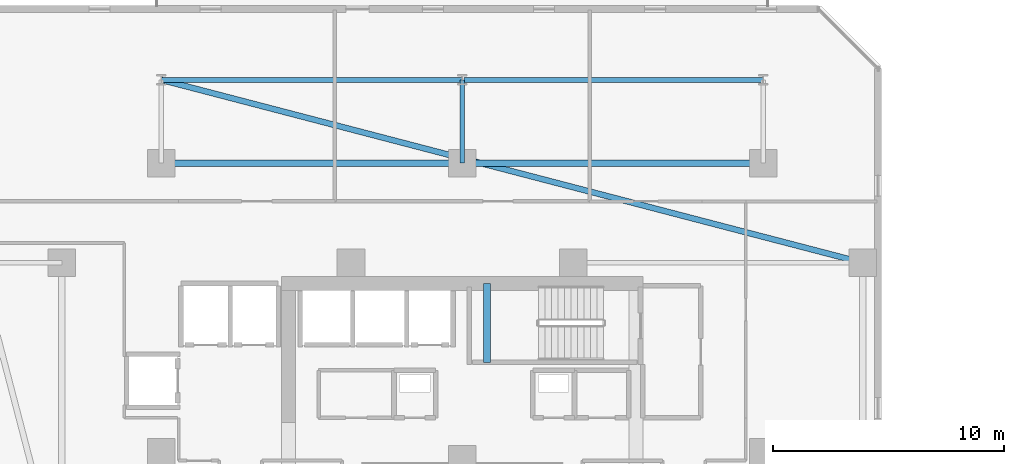
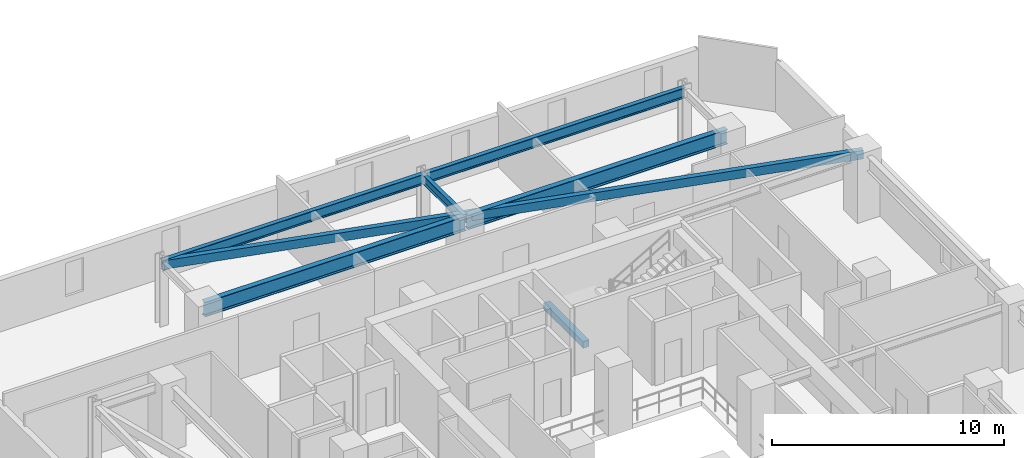
# One storey, part 8 of 33: 7 beams.
"""IFC4 building model written with IfcOpenShell, lengths in metres."""

import ifcopenshell
import ifcopenshell.guid

model = None  # the IFC model being written
_history = None  # IfcOwnerHistory: only IFC2X3 demands one
_inside = {}  # id of a spatial element -> (the spatial element, [elements in it])
_under = {}  # id of a project, library or spatial element -> (it, [spatial elements below it])
_declared = {}  # id of a project -> (the project, [libraries it declares])
_typed = {}  # id of a type object -> (the type object, [elements of that type])
_made_of = {}  # id of a material, layer set ... -> (it, [elements and type objects made of it])


def new_model(schema):
    """Start an empty IFC model of exactly this schema.

    Asked for "IFC4X3", IfcOpenShell would pick the latest addendum, in which some entities
    have other attributes; the version numbers below select the first issue.
    IFC2X3 requires an IfcOwnerHistory on every rooted entity: one is made here for all.
    """
    global model, _history
    if schema == "IFC4X3":
        model = ifcopenshell.file(schema_version=(4, 3, 0, 0))
    else:
        model = ifcopenshell.file(schema=schema)
    _inside.clear()
    _under.clear()
    _declared.clear()
    _typed.clear()
    _made_of.clear()
    _history = None
    if model.schema == "IFC2X3":
        org = make("IfcOrganization", Name="unknown")
        user = make(
            "IfcPersonAndOrganization",
            ThePerson=make("IfcPerson", FamilyName="unknown"),
            TheOrganization=org,
        )
        app = make(
            "IfcApplication",
            ApplicationDeveloper=org,
            Version="unknown",
            ApplicationFullName="unknown",
            ApplicationIdentifier="unknown",
        )
        _history = make(
            "IfcOwnerHistory",
            OwningUser=user,
            OwningApplication=app,
            ChangeAction="ADDED",
            CreationDate=0,
        )
    return model


def make(cls, **values):
    """One entity of the class cls with the attributes given. An attribute that is None is left unset."""
    return model.create_entity(
        cls, **{name: value for name, value in values.items() if value is not None}
    )


def rooted(cls, **values):
    """An entity with a GlobalId (a new one), such as an element, a storey or a relation."""
    return make(cls, GlobalId=ifcopenshell.guid.new(), OwnerHistory=_history, **values)


def si_unit(unit_type, name, prefix=None):
    """IfcSIUnit, for example si_unit("LENGTHUNIT", "METRE", prefix="MILLI")."""
    return make("IfcSIUnit", UnitType=unit_type, Prefix=prefix, Name=name)


def assignment(units):
    """IfcUnitAssignment: the units of a project."""
    return None if units is None else make("IfcUnitAssignment", Units=units)


def point(xyz):
    """IfcCartesianPoint."""
    return None if xyz is None else make("IfcCartesianPoint", Coordinates=xyz)


def direction(xyz):
    """IfcDirection."""
    return None if xyz is None else make("IfcDirection", DirectionRatios=xyz)


def frame(location, z_axis=None, x_axis=None):
    """IfcAxis2Placement3D, a coordinate frame: its origin and axes. An axis left out is left unset."""
    return make(
        "IfcAxis2Placement3D",
        Location=point(location),
        Axis=direction(z_axis),
        RefDirection=direction(x_axis),
    )


def frame_2d(location, x_axis=None):
    """IfcAxis2Placement2D, a coordinate frame in the plane: its origin and x axis."""
    return make(
        "IfcAxis2Placement2D", Location=point(location), RefDirection=direction(x_axis)
    )


def origin():
    """The frame at (0, 0, 0) with its axes left unset."""
    return frame((0.0, 0.0, 0.0))


def origin_2d():
    """The frame at (0, 0) in the plane with its x axis left unset."""
    return frame_2d((0.0, 0.0))


def place(relative_to, where):
    """IfcLocalPlacement: puts the frame where relative to a parent placement (None: the world)."""
    return make(
        "IfcLocalPlacement", PlacementRelTo=relative_to, RelativePlacement=where
    )


def context(
    kind, dimensions, precision=None, world=None, true_north=None, identifier=None
):
    """IfcGeometricRepresentationContext, for example the 3D "Model" context."""
    return make(
        "IfcGeometricRepresentationContext",
        ContextIdentifier=identifier,
        ContextType=kind,
        CoordinateSpaceDimension=dimensions,
        Precision=precision,
        WorldCoordinateSystem=world,
        TrueNorth=true_north,
    )


def subcontext(parent, identifier, kind, view, scale=None):
    """IfcGeometricRepresentationSubContext, for example "Body" below "Model"."""
    return make(
        "IfcGeometricRepresentationSubContext",
        ContextIdentifier=identifier,
        ContextType=kind,
        ParentContext=parent,
        TargetScale=scale,
        TargetView=view,
    )


def project(units=None, contexts=None):
    """IfcProject with its units and contexts."""
    return rooted(
        "IfcProject",
        Name="project",
        RepresentationContexts=contexts,
        UnitsInContext=assignment(units),
    )


def spatial(cls, under=None, at=None, **own):
    """A site, building, storey or space (cls), placed at a placement, below another one or the project."""
    s = rooted(cls, ObjectPlacement=at, **own)
    if under is not None:
        _under.setdefault(under.id(), (under, []))[1].append(s)
    return s


def profile(cls, at=None, kind="AREA", **sizes):
    """A parametric profile (cls). Its sizes go by their IFC names, for example OverallWidth=200.0."""
    return make(cls, ProfileType=kind, Position=at, **sizes)


def rectangle(**sizes):
    """IfcRectangleProfileDef."""
    return profile("IfcRectangleProfileDef", **sizes)


def hollow_rectangle(**sizes):
    """IfcRectangleHollowProfileDef."""
    return profile("IfcRectangleHollowProfileDef", **sizes)


def i_section(**sizes):
    """IfcIShapeProfileDef."""
    return profile("IfcIShapeProfileDef", **sizes)


def extrude(swept, where, along, depth):
    """IfcExtrudedAreaSolid: the profile swept, set in the frame where, extruded along a direction by depth."""
    return make(
        "IfcExtrudedAreaSolid",
        SweptArea=swept,
        Position=where,
        ExtrudedDirection=direction(along),
        Depth=depth,
    )


def shape(context_of_items, identifier, shape_type, items):
    """IfcShapeRepresentation: the items that make up one representation, for example the "Body"."""
    return make(
        "IfcShapeRepresentation",
        ContextOfItems=context_of_items,
        RepresentationIdentifier=identifier,
        RepresentationType=shape_type,
        Items=items,
    )


def material(Name=None, Category=None):
    """IfcMaterial."""
    return make("IfcMaterial", Name=Name, Category=Category)


def material_profile(
    of_material, cross_section, Name=None, Category=None, Priority=None
):
    """IfcMaterialProfile: a cross section and its material."""
    return make(
        "IfcMaterialProfile",
        Name=Name,
        Material=of_material,
        Profile=cross_section,
        Priority=Priority,
        Category=Category,
    )


def profile_set(profiles, Name=None, composite=None):
    """IfcMaterialProfileSet."""
    return make(
        "IfcMaterialProfileSet",
        Name=Name,
        MaterialProfiles=profiles,
        CompositeProfile=composite,
    )


def made_of(thing, what):
    """Note that an element or type object is made of a material, layer set ...; save() writes the relation."""
    if what is not None:
        _made_of.setdefault(what.id(), (what, []))[1].append(thing)
    return thing


def type_object(cls, material=None, **own):
    """A type object (cls), such as IfcWallType, which elements share."""
    return made_of(rooted(cls, **own), material)


def element(
    cls,
    number,
    at=None,
    inside=None,
    cuts=None,
    type_object=None,
    material=None,
    context=None,
    identifier="Body",
    shape_type=None,
    held_by="IfcProductDefinitionShape",
    body=None,
    shapes=None,
    **own,
):
    """One element of the class cls, such as IfcWall. Its Tag is "e" and its number.

    at: its placement. inside: the storey or other place that contains it. cuts: it is an
    opening in that element (IfcRelVoidsElement). A single representation is given by context,
    identifier, shape_type and body (its items); several are given by shapes. held_by: the class
    of the entity that holds the representations. save() writes the other relations.
    """
    e = rooted(cls, Tag="e%d" % number, ObjectPlacement=at, **own)
    if body is not None:
        shapes = [shape(context, identifier, shape_type, body)]
    if shapes is not None:
        e.Representation = make(held_by, Representations=shapes)
    if inside is not None:
        _inside.setdefault(inside.id(), (inside, []))[1].append(e)
    if cuts is not None:
        rooted(
            "IfcRelVoidsElement", RelatingBuildingElement=cuts, RelatedOpeningElement=e
        )
    if type_object is not None:
        _typed.setdefault(type_object.id(), (type_object, []))[1].append(e)
    return made_of(e, material)


def aggregate(whole, parts):
    """IfcRelAggregates: a whole, such as a stair, and the parts it consists of."""
    return rooted("IfcRelAggregates", RelatingObject=whole, RelatedObjects=parts)


def save(model, path):
    """Write the relations noted so far, then the file.

    IfcRelAggregates (storeys below a building ...), IfcRelContainedInSpatialStructure (elements
    in a storey), IfcRelDefinesByType, IfcRelAssociatesMaterial and IfcRelDeclares: one each for
    every whole, place, type object, material and project.
    """
    for whole, parts in _under.values():
        aggregate(whole, parts)
    for where, things in _inside.values():
        rooted(
            "IfcRelContainedInSpatialStructure",
            RelatedElements=things,
            RelatingStructure=where,
        )
    for kind, things in _typed.values():
        rooted("IfcRelDefinesByType", RelatedObjects=things, RelatingType=kind)
    for what, things in _made_of.values():
        rooted("IfcRelAssociatesMaterial", RelatedObjects=things, RelatingMaterial=what)
    for by, libraries in _declared.values():
        rooted("IfcRelDeclares", RelatingContext=by, RelatedDefinitions=libraries)
    model.write(path)


model = new_model("IFC4")

# Units and contexts
model_context = context("Model", 3, precision=1e-05, world=origin(), true_north=direction((0.0, 1.0)))
body_context = subcontext(model_context, "Body", "Model", "MODEL_VIEW")
ifc_project = project(units=[si_unit("LENGTHUNIT", "METRE"), si_unit("AREAUNIT", "SQUARE_METRE"), si_unit("VOLUMEUNIT", "CUBIC_METRE"), si_unit("PLANEANGLEUNIT", "RADIAN"), si_unit("MASSUNIT", "GRAM", prefix="KILO")], contexts=[model_context])

# Site, building, storey
site_placement = place(None, origin())
site = spatial("IfcSite", under=ifc_project, at=site_placement, CompositionType="ELEMENT")
building_placement = place(site_placement, origin())
building = spatial("IfcBuilding", under=site, at=building_placement, Name="Thornwick Lancets Civic Towers", CompositionType="ELEMENT")
storey_placement = place(building_placement, frame((0.0, 0.0, 108.89990234375)))
storey = spatial("IfcBuildingStorey", under=building, at=storey_placement, Name="L28", CompositionType="ELEMENT", Elevation=108.89990234375)

# Beams
ifc_material_1 = material(Name="Steel S355JR", Category="steel")
ifc_material_profile_1 = material_profile(ifc_material_1, i_section(OverallWidth=0.2119140625, OverallDepth=0.54443359375, WebThickness=0.0126953125, FlangeThickness=0.021240234375, FilletRadius=0.0126953125, at=origin_2d()), Name="UKB 533x210x122")
ifc_profile_set_1 = profile_set([ifc_material_profile_1], Name="Steel S355JR")
beam_type_1 = type_object("IfcBeamType", Name="BM_EDGE_533_122", PredefinedType="SPANDREL", material=ifc_profile_set_1)
beam_1_placement = place(storey_placement, frame((12.5, 47.89990234375, 3.087890625), z_axis=(1.0, 0.0, 0.0), x_axis=(0.0, 1.0, 0.0)))
element("IfcBeam", 1, at=beam_1_placement, inside=storey, type_object=beam_type_1, Name="BM-EDGE-L28-A-S2-1", PredefinedType="SPANDREL", context=body_context, shape_type="SweptSolid", body=[
    extrude(i_section(OverallWidth=0.2119140625, OverallDepth=0.54443359375, WebThickness=0.0126953125, FlangeThickness=0.021240234375, FilletRadius=0.0126953125, at=origin_2d()), origin(), (0.0, 0.0, 1.0), 13.0),
])
beam_2_placement = place(storey_placement, frame((25.580078125, 47.89990234375, 3.087890625), z_axis=(1.0, 0.0, 0.0), x_axis=(0.0, 1.0, 0.0)))
element("IfcBeam", 2, at=beam_2_placement, inside=storey, type_object=beam_type_1, Name="BM-EDGE-L28-A-S2-2", PredefinedType="SPANDREL", context=body_context, shape_type="SweptSolid", body=[
    extrude(i_section(OverallWidth=0.2119140625, OverallDepth=0.54443359375, WebThickness=0.0126953125, FlangeThickness=0.021240234375, FilletRadius=0.0126953125, at=origin_2d()), origin(), (0.0, 0.0, 1.0), 12.919921875),
])
ifc_material_profile_2 = material_profile(ifc_material_1, i_section(OverallWidth=0.26806640625, OverallDepth=0.769775390625, WebThickness=0.015625, FlangeThickness=0.025390625, FilletRadius=0.0166015625, at=origin_2d()), Name="UKB 762x267x197")
ifc_profile_set_2 = profile_set([ifc_material_profile_2], Name="Steel S355JR")
beam_type_2 = type_object("IfcBeamType", Name="BM_GIRD_762_197", PredefinedType="BEAM", material=ifc_profile_set_2)
beam_3_placement = place(storey_placement, frame((12.5, 44.300048828125, 2.97509765625), z_axis=(1.0, 0.0, 0.0), x_axis=(0.0, 1.0, 0.0)))
element("IfcBeam", 3, at=beam_3_placement, inside=storey, type_object=beam_type_2, Name="BM-SPINE-L28-A-6-7", PredefinedType="BEAM", context=body_context, shape_type="SweptSolid", body=[
    extrude(i_section(OverallWidth=0.26806640625, OverallDepth=0.769775390625, WebThickness=0.015625, FlangeThickness=0.025390625, FilletRadius=0.0166015625, at=origin_2d()), origin(), (0.0, 0.0, 1.0), 13.0),
])
beam_4_placement = place(storey_placement, frame((25.580078125, 44.300048828125, 2.97509765625), z_axis=(1.0, 0.0, 0.0), x_axis=(0.0, 1.0, 0.0)))
element("IfcBeam", 4, at=beam_4_placement, inside=storey, type_object=beam_type_2, Name="BM-SPINE-L28-A-7-8", PredefinedType="BEAM", context=body_context, shape_type="SweptSolid", body=[
    extrude(i_section(OverallWidth=0.26806640625, OverallDepth=0.769775390625, WebThickness=0.015625, FlangeThickness=0.025390625, FilletRadius=0.0166015625, at=origin_2d()), origin(), (0.0, 0.0, 1.0), 12.919921875),
])
ifc_material_profile_3 = material_profile(ifc_material_1, i_section(OverallWidth=0.19189453125, OverallDepth=0.46337890625, WebThickness=0.010498046875, FlangeThickness=0.017578125, FilletRadius=0.01025390625, at=origin_2d()), Name="UKB 457x191x89")
ifc_profile_set_3 = profile_set([ifc_material_profile_3], Name="Steel S355JR")
beam_type_3 = type_object("IfcBeamType", Name="BM_JOIST_457_89", PredefinedType="JOIST", material=ifc_profile_set_3)
beam_5_placement = place(storey_placement, frame((25.5, 44.300048828125, 3.12841796875), z_axis=(0.0, 1.0, 0.0), x_axis=(-1.0, 0.0, 0.0)))
element("IfcBeam", 5, at=beam_5_placement, inside=storey, type_object=beam_type_3, Name="BM-RAD-L28-A08", PredefinedType="JOIST", context=body_context, shape_type="SweptSolid", body=[
    extrude(i_section(OverallWidth=0.19189453125, OverallDepth=0.46337890625, WebThickness=0.010498046875, FlangeThickness=0.017578125, FilletRadius=0.01025390625, at=origin_2d()), origin(), (0.0, 0.0, 1.0), 3.599853515625),
])
ifc_material_profile_4 = material_profile(ifc_material_1, hollow_rectangle(XDim=0.25, YDim=0.449951171875, WallThickness=0.01611328125, at=origin_2d()), Name="RHS 450x250x16")
ifc_profile_set_4 = profile_set([ifc_material_profile_4], Name="Steel S355JR")
beam_type_4 = type_object("IfcBeamType", Name="BM_RING_RHS450", PredefinedType="BEAM", material=ifc_profile_set_4)
beam_6_placement = place(storey_placement, frame((42.800048828125, 40.0, 3.135009765625), z_axis=(-0.967652038286, 0.252288590311, 0.0), x_axis=(-0.252288590311, -0.967652038286, 0.0)))
element("IfcBeam", 6, at=beam_6_placement, inside=storey, type_object=beam_type_4, Name="BM-CHAMF-L28-A-C1", PredefinedType="BEAM", context=body_context, shape_type="SweptSolid", body=[
    extrude(hollow_rectangle(XDim=0.25, YDim=0.449951171875, WallThickness=0.01611328125, at=origin_2d()), origin(), (0.0, 0.0, 1.0), 31.31298828125),
])
ifc_material_2 = material(Name="Concrete C40/50", Category="concrete")
ifc_material_profile_5 = material_profile(ifc_material_2, rectangle(XDim=0.300048828125, YDim=0.35009765625, at=origin_2d()), Name="RC 300x350")
ifc_profile_set_5 = profile_set([ifc_material_profile_5], Name="Concrete C40/50")
beam_type_5 = type_object("IfcBeamType", Name="BM_STAIR_LDG", PredefinedType="BEAM", material=ifc_profile_set_5)
beam_7_placement = place(storey_placement, frame((26.56494140625, 39.10009765625, 1.378173828125), z_axis=(0.0, -1.0, 0.0), x_axis=(1.0, 0.0, 0.0)))
element("IfcBeam", 7, at=beam_7_placement, inside=storey, type_object=beam_type_5, Name="L28 ST-A2 Landing Support Beam 1", PredefinedType="BEAM", context=body_context, shape_type="SweptSolid", body=[
    extrude(rectangle(XDim=0.300048828125, YDim=0.35009765625, at=origin_2d()), origin(), (0.0, 0.0, 1.0), 3.400146484375),
])

save(model, "model.ifc")
